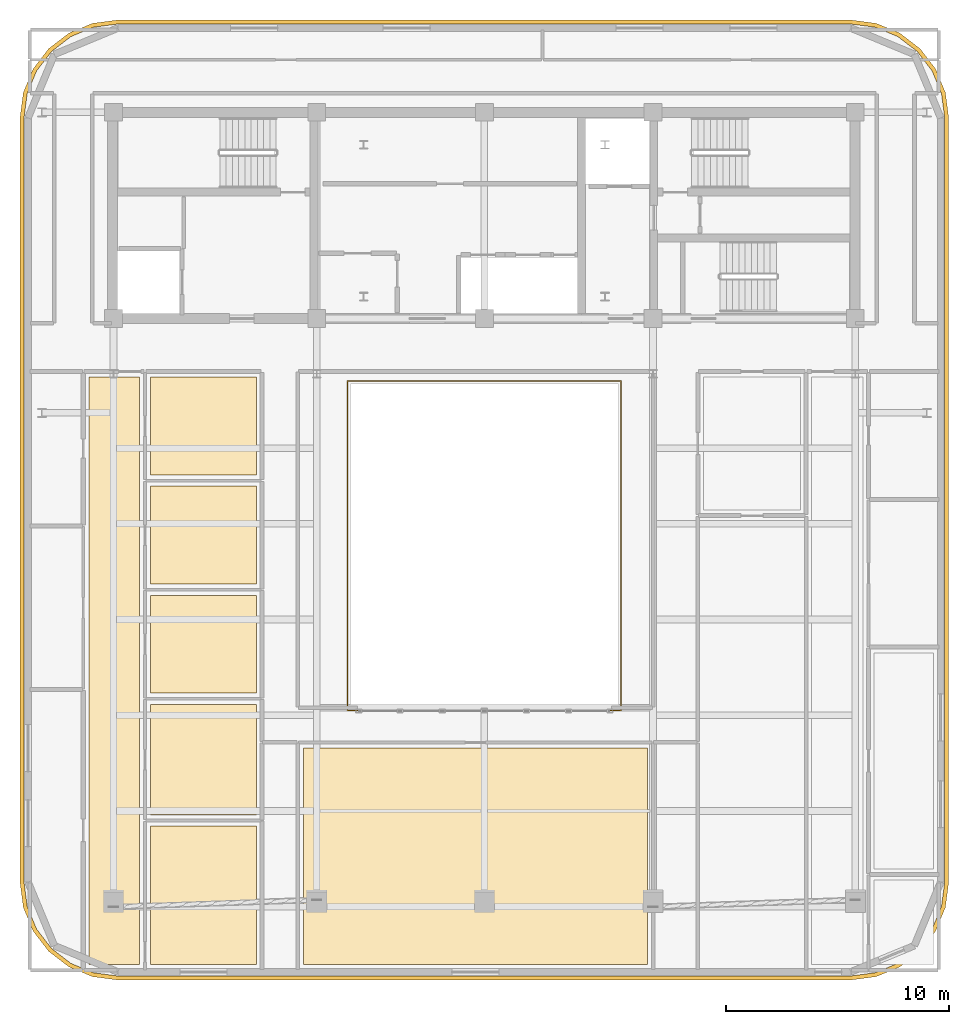
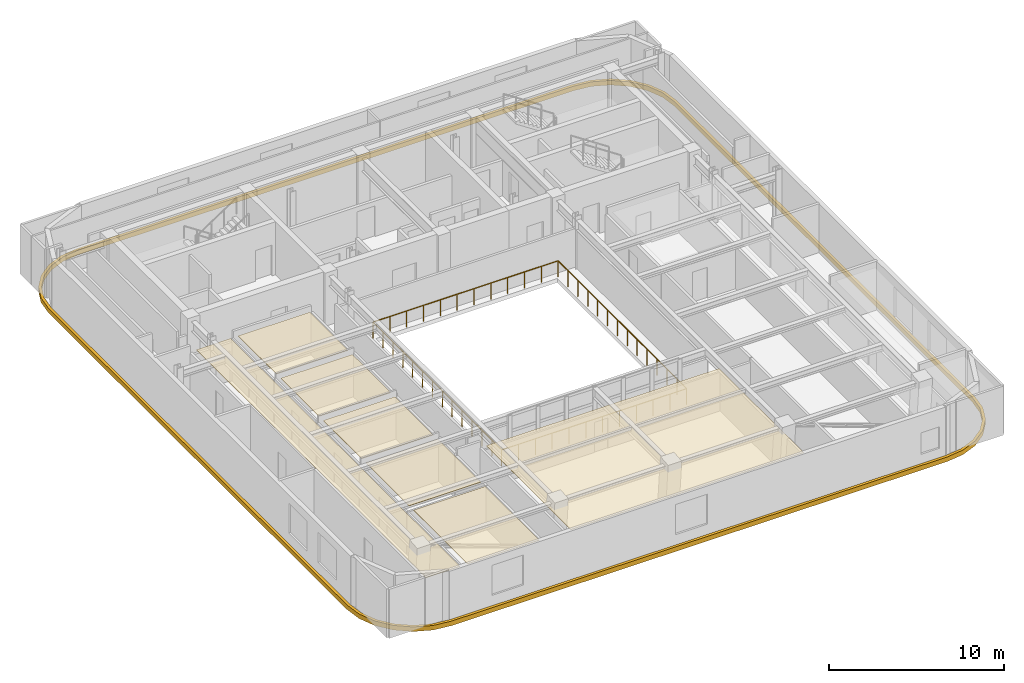
# One storey, part 10 of 12: 8 coverings, 1 railing.
"""IFC4 building model written with IfcOpenShell, lengths in metres."""

import ifcopenshell
import ifcopenshell.guid

model = None  # the IFC model being written
_history = None  # IfcOwnerHistory: only IFC2X3 demands one
_inside = {}  # id of a spatial element -> (the spatial element, [elements in it])
_under = {}  # id of a project, library or spatial element -> (it, [spatial elements below it])
_declared = {}  # id of a project -> (the project, [libraries it declares])
_typed = {}  # id of a type object -> (the type object, [elements of that type])
_made_of = {}  # id of a material, layer set ... -> (it, [elements and type objects made of it])


def new_model(schema):
    """Start an empty IFC model of exactly this schema.

    Asked for "IFC4X3", IfcOpenShell would pick the latest addendum, in which some entities
    have other attributes; the version numbers below select the first issue.
    IFC2X3 requires an IfcOwnerHistory on every rooted entity: one is made here for all.
    """
    global model, _history
    if schema == "IFC4X3":
        model = ifcopenshell.file(schema_version=(4, 3, 0, 0))
    else:
        model = ifcopenshell.file(schema=schema)
    _inside.clear()
    _under.clear()
    _declared.clear()
    _typed.clear()
    _made_of.clear()
    _history = None
    if model.schema == "IFC2X3":
        org = make("IfcOrganization", Name="unknown")
        user = make(
            "IfcPersonAndOrganization",
            ThePerson=make("IfcPerson", FamilyName="unknown"),
            TheOrganization=org,
        )
        app = make(
            "IfcApplication",
            ApplicationDeveloper=org,
            Version="unknown",
            ApplicationFullName="unknown",
            ApplicationIdentifier="unknown",
        )
        _history = make(
            "IfcOwnerHistory",
            OwningUser=user,
            OwningApplication=app,
            ChangeAction="ADDED",
            CreationDate=0,
        )
    return model


def make(cls, **values):
    """One entity of the class cls with the attributes given. An attribute that is None is left unset."""
    return model.create_entity(
        cls, **{name: value for name, value in values.items() if value is not None}
    )


def rooted(cls, **values):
    """An entity with a GlobalId (a new one), such as an element, a storey or a relation."""
    return make(cls, GlobalId=ifcopenshell.guid.new(), OwnerHistory=_history, **values)


def si_unit(unit_type, name, prefix=None):
    """IfcSIUnit, for example si_unit("LENGTHUNIT", "METRE", prefix="MILLI")."""
    return make("IfcSIUnit", UnitType=unit_type, Prefix=prefix, Name=name)


def assignment(units):
    """IfcUnitAssignment: the units of a project."""
    return None if units is None else make("IfcUnitAssignment", Units=units)


def point(xyz):
    """IfcCartesianPoint."""
    return None if xyz is None else make("IfcCartesianPoint", Coordinates=xyz)


def direction(xyz):
    """IfcDirection."""
    return None if xyz is None else make("IfcDirection", DirectionRatios=xyz)


def frame(location, z_axis=None, x_axis=None):
    """IfcAxis2Placement3D, a coordinate frame: its origin and axes. An axis left out is left unset."""
    return make(
        "IfcAxis2Placement3D",
        Location=point(location),
        Axis=direction(z_axis),
        RefDirection=direction(x_axis),
    )


def frame_2d(location, x_axis=None):
    """IfcAxis2Placement2D, a coordinate frame in the plane: its origin and x axis."""
    return make(
        "IfcAxis2Placement2D", Location=point(location), RefDirection=direction(x_axis)
    )


def origin():
    """The frame at (0, 0, 0) with its axes left unset."""
    return frame((0.0, 0.0, 0.0))


def origin_2d():
    """The frame at (0, 0) in the plane with its x axis left unset."""
    return frame_2d((0.0, 0.0))


def place(relative_to, where):
    """IfcLocalPlacement: puts the frame where relative to a parent placement (None: the world)."""
    return make(
        "IfcLocalPlacement", PlacementRelTo=relative_to, RelativePlacement=where
    )


def context(
    kind, dimensions, precision=None, world=None, true_north=None, identifier=None
):
    """IfcGeometricRepresentationContext, for example the 3D "Model" context."""
    return make(
        "IfcGeometricRepresentationContext",
        ContextIdentifier=identifier,
        ContextType=kind,
        CoordinateSpaceDimension=dimensions,
        Precision=precision,
        WorldCoordinateSystem=world,
        TrueNorth=true_north,
    )


def subcontext(parent, identifier, kind, view, scale=None):
    """IfcGeometricRepresentationSubContext, for example "Body" below "Model"."""
    return make(
        "IfcGeometricRepresentationSubContext",
        ContextIdentifier=identifier,
        ContextType=kind,
        ParentContext=parent,
        TargetScale=scale,
        TargetView=view,
    )


def project(units=None, contexts=None):
    """IfcProject with its units and contexts."""
    return rooted(
        "IfcProject",
        Name="project",
        RepresentationContexts=contexts,
        UnitsInContext=assignment(units),
    )


def spatial(cls, under=None, at=None, **own):
    """A site, building, storey or space (cls), placed at a placement, below another one or the project."""
    s = rooted(cls, ObjectPlacement=at, **own)
    if under is not None:
        _under.setdefault(under.id(), (under, []))[1].append(s)
    return s


def polyline(points):
    """IfcPolyline through the points."""
    return make("IfcPolyline", Points=[point(p) for p in points])


def profile(cls, at=None, kind="AREA", **sizes):
    """A parametric profile (cls). Its sizes go by their IFC names, for example OverallWidth=200.0."""
    return make(cls, ProfileType=kind, Position=at, **sizes)


def rectangle(**sizes):
    """IfcRectangleProfileDef."""
    return profile("IfcRectangleProfileDef", **sizes)


def outline(outer, holes=None, kind="AREA"):
    """IfcArbitraryClosedProfileDef: a profile drawn as a closed curve; with holes, ...WithVoids."""
    if holes is None:
        return make("IfcArbitraryClosedProfileDef", ProfileType=kind, OuterCurve=outer)
    return make(
        "IfcArbitraryProfileDefWithVoids",
        ProfileType=kind,
        OuterCurve=outer,
        InnerCurves=holes,
    )


def extrude(swept, where, along, depth):
    """IfcExtrudedAreaSolid: the profile swept, set in the frame where, extruded along a direction by depth."""
    return make(
        "IfcExtrudedAreaSolid",
        SweptArea=swept,
        Position=where,
        ExtrudedDirection=direction(along),
        Depth=depth,
    )


def shape(context_of_items, identifier, shape_type, items):
    """IfcShapeRepresentation: the items that make up one representation, for example the "Body"."""
    return make(
        "IfcShapeRepresentation",
        ContextOfItems=context_of_items,
        RepresentationIdentifier=identifier,
        RepresentationType=shape_type,
        Items=items,
    )


def material(Name=None, Category=None):
    """IfcMaterial."""
    return make("IfcMaterial", Name=Name, Category=Category)


def layer(
    of_material, thickness, ventilated=None, Name=None, Category=None, Priority=None
):
    """IfcMaterialLayer: one layer of a wall or slab, of a material (None: an air gap)."""
    return make(
        "IfcMaterialLayer",
        Material=of_material,
        LayerThickness=thickness,
        IsVentilated=ventilated,
        Name=Name,
        Category=Category,
        Priority=Priority,
    )


def layer_set(layers, Name=None):
    """IfcMaterialLayerSet."""
    return make("IfcMaterialLayerSet", MaterialLayers=layers, LayerSetName=Name)


def made_of(thing, what):
    """Note that an element or type object is made of a material, layer set ...; save() writes the relation."""
    if what is not None:
        _made_of.setdefault(what.id(), (what, []))[1].append(thing)
    return thing


def type_object(cls, material=None, **own):
    """A type object (cls), such as IfcWallType, which elements share."""
    return made_of(rooted(cls, **own), material)


def element(
    cls,
    number,
    at=None,
    inside=None,
    cuts=None,
    type_object=None,
    material=None,
    context=None,
    identifier="Body",
    shape_type=None,
    held_by="IfcProductDefinitionShape",
    body=None,
    shapes=None,
    **own,
):
    """One element of the class cls, such as IfcWall. Its Tag is "e" and its number.

    at: its placement. inside: the storey or other place that contains it. cuts: it is an
    opening in that element (IfcRelVoidsElement). A single representation is given by context,
    identifier, shape_type and body (its items); several are given by shapes. held_by: the class
    of the entity that holds the representations. save() writes the other relations.
    """
    e = rooted(cls, Tag="e%d" % number, ObjectPlacement=at, **own)
    if body is not None:
        shapes = [shape(context, identifier, shape_type, body)]
    if shapes is not None:
        e.Representation = make(held_by, Representations=shapes)
    if inside is not None:
        _inside.setdefault(inside.id(), (inside, []))[1].append(e)
    if cuts is not None:
        rooted(
            "IfcRelVoidsElement", RelatingBuildingElement=cuts, RelatedOpeningElement=e
        )
    if type_object is not None:
        _typed.setdefault(type_object.id(), (type_object, []))[1].append(e)
    return made_of(e, material)


def aggregate(whole, parts):
    """IfcRelAggregates: a whole, such as a stair, and the parts it consists of."""
    return rooted("IfcRelAggregates", RelatingObject=whole, RelatedObjects=parts)


def save(model, path):
    """Write the relations noted so far, then the file.

    IfcRelAggregates (storeys below a building ...), IfcRelContainedInSpatialStructure (elements
    in a storey), IfcRelDefinesByType, IfcRelAssociatesMaterial and IfcRelDeclares: one each for
    every whole, place, type object, material and project.
    """
    for whole, parts in _under.values():
        aggregate(whole, parts)
    for where, things in _inside.values():
        rooted(
            "IfcRelContainedInSpatialStructure",
            RelatedElements=things,
            RelatingStructure=where,
        )
    for kind, things in _typed.values():
        rooted("IfcRelDefinesByType", RelatedObjects=things, RelatingType=kind)
    for what, things in _made_of.values():
        rooted("IfcRelAssociatesMaterial", RelatedObjects=things, RelatingMaterial=what)
    for by, libraries in _declared.values():
        rooted("IfcRelDeclares", RelatingContext=by, RelatedDefinitions=libraries)
    model.write(path)


model = new_model("IFC4")

# Units and contexts
model_context = context("Model", 3, precision=1e-05, world=origin(), true_north=direction((0.0, 1.0)))
body_context = subcontext(model_context, "Body", "Model", "MODEL_VIEW")
ifc_project = project(units=[si_unit("LENGTHUNIT", "METRE"), si_unit("AREAUNIT", "SQUARE_METRE"), si_unit("VOLUMEUNIT", "CUBIC_METRE"), si_unit("PLANEANGLEUNIT", "RADIAN"), si_unit("MASSUNIT", "GRAM", prefix="KILO")], contexts=[model_context])

# Site, building, storey
site_placement = place(None, origin())
site = spatial("IfcSite", under=ifc_project, at=site_placement, CompositionType="ELEMENT")
building_placement = place(site_placement, origin())
building = spatial("IfcBuilding", under=site, at=building_placement, Name="Zarnavel Station Tower", CompositionType="ELEMENT")
storey_placement = place(building_placement, frame((0.0, 0.0, 269.5)))
storey = spatial("IfcBuildingStorey", under=building, at=storey_placement, Name="L73", CompositionType="ELEMENT", Elevation=269.5)

# Coverings
ifc_material_1 = material(Name="Perforated Gypsum and Mineral-Wool Acoustic Ceiling", Category="concrete")
ifc_layer = layer(ifc_material_1, 0.0400390625)
ifc_layer_set = layer_set([ifc_layer], Name="COV_CEIL_ACOUSTIC")
covering_type_1 = type_object("IfcCoveringType", Name="COV_CEIL_ACOUSTIC", PredefinedType="CEILING", material=ifc_layer_set)
covering_1_placement = place(storey_placement, frame((0.0, 0.0, 3.10009765625)))
element("IfcCovering", 1, at=covering_1_placement, inside=storey, type_object=covering_type_1, Name="L73 UW1LV Acoustic Ceiling", PredefinedType="CEILING", context=body_context, shape_type="SweptSolid", body=[
    extrude(outline(polyline([(11.10009765625, -1.090087890625), (13.362060546875, -1.090087890625), (13.362060546875, 25.199951171875), (11.10009765625, 25.199951171875), (11.10009765625, -1.090087890625)])), origin(), (0.0, 0.0, 1.0), 0.039794921875),
])
covering_2_placement = place(storey_placement, frame((0.0, 0.0, 3.10009765625)))
element("IfcCovering", 2, at=covering_2_placement, inside=storey, type_object=covering_type_1, Name="L73 UW1B1 Acoustic Ceiling", PredefinedType="CEILING", context=body_context, shape_type="SweptSolid", body=[
    extrude(outline(polyline([(13.862060546875, -1.090087890625), (18.60009765625, -1.090087890625), (18.60009765625, 5.10693359375), (13.862060546875, 5.10693359375), (13.862060546875, -1.090087890625)])), origin(), (0.0, 0.0, 1.0), 0.039794921875),
])
covering_3_placement = place(storey_placement, frame((0.0, 0.0, 3.10009765625)))
element("IfcCovering", 3, at=covering_3_placement, inside=storey, type_object=covering_type_1, Name="L73 UW1B2 Acoustic Ceiling", PredefinedType="CEILING", context=body_context, shape_type="SweptSolid", body=[
    extrude(outline(polyline([(13.862060546875, 5.60693359375), (18.60009765625, 5.60693359375), (18.60009765625, 10.555908203125), (13.862060546875, 10.555908203125), (13.862060546875, 5.60693359375)])), origin(), (0.0, 0.0, 1.0), 0.039794921875),
])
covering_4_placement = place(storey_placement, frame((0.0, 0.0, 3.10009765625)))
element("IfcCovering", 4, at=covering_4_placement, inside=storey, type_object=covering_type_1, Name="L73 UW1B3 Acoustic Ceiling", PredefinedType="CEILING", context=body_context, shape_type="SweptSolid", body=[
    extrude(outline(polyline([(13.862060546875, 11.055908203125), (18.60009765625, 11.055908203125), (18.60009765625, 15.43701171875), (13.862060546875, 15.43701171875), (13.862060546875, 11.055908203125)])), origin(), (0.0, 0.0, 1.0), 0.039794921875),
])
covering_5_placement = place(storey_placement, frame((0.0, 0.0, 3.10009765625)))
element("IfcCovering", 5, at=covering_5_placement, inside=storey, type_object=covering_type_1, Name="L73 UW1B4 Acoustic Ceiling", PredefinedType="CEILING", context=body_context, shape_type="SweptSolid", body=[
    extrude(outline(polyline([(13.862060546875, 15.93701171875), (18.60009765625, 15.93701171875), (18.60009765625, 20.318115234375), (13.862060546875, 20.318115234375), (13.862060546875, 15.93701171875)])), origin(), (0.0, 0.0, 1.0), 0.039794921875),
])
covering_6_placement = place(storey_placement, frame((0.0, 0.0, 3.10009765625)))
element("IfcCovering", 6, at=covering_6_placement, inside=storey, type_object=covering_type_1, Name="L73 UW1B5 Acoustic Ceiling", PredefinedType="CEILING", context=body_context, shape_type="SweptSolid", body=[
    extrude(outline(polyline([(13.862060546875, 20.818115234375), (18.60009765625, 20.818115234375), (18.60009765625, 25.199951171875), (13.862060546875, 25.199951171875), (13.862060546875, 20.818115234375)])), origin(), (0.0, 0.0, 1.0), 0.039794921875),
])
covering_7_placement = place(storey_placement, frame((0.0, 0.0, 3.10009765625)))
element("IfcCovering", 7, at=covering_7_placement, inside=storey, type_object=covering_type_1, Name="L73 L73REC Acoustic Ceiling", PredefinedType="CEILING", context=body_context, shape_type="SweptSolid", body=[
    extrude(outline(polyline([(20.699951171875, -1.090087890625), (36.10009765625, -1.090087890625), (36.10009765625, 8.60009765625), (20.699951171875, 8.60009765625), (20.699951171875, -1.090087890625)])), origin(), (0.0, 0.0, 1.0), 0.039794921875),
])
ifc_material_2 = material(Name="Precast concrete C45/55 (Pale Travertine Slab Band)", Category="masonry")
covering_type_2 = type_object("IfcCoveringType", Name="COV_TRAVERTINE_BAND", PredefinedType="CLADDING", material=ifc_material_2)
covering_8_placement = place(storey_placement, frame((0.0, 0.0, -0.260009765625)))
element("IfcCovering", 8, at=covering_8_placement, inside=storey, type_object=covering_type_2, Name="L73 Pale Travertine Slab-Edge Band", PredefinedType="CLADDING", context=body_context, shape_type="SweptSolid", body=[
    extrude(outline(polyline([(45.199951171875, -1.780029296875), (46.33349609375, -1.630859375), (47.389892578125, -1.193115234375), (48.297119140625, -0.4970703125), (48.9931640625, 0.409912109375), (49.430908203125, 1.46630859375), (49.580078125, 2.60009765625), (49.580078125, 36.800048828125), (49.430908203125, 37.93359375), (48.9931640625, 38.989990234375), (48.297119140625, 39.897216796875), (47.389892578125, 40.59326171875), (46.33349609375, 41.03076171875), (45.199951171875, 41.179931640625), (12.39990234375, 41.179931640625), (11.266357421875, 41.03076171875), (10.2099609375, 40.59326171875), (9.302978515625, 39.897216796875), (8.606689453125, 38.989990234375), (8.169189453125, 37.93359375), (8.02001953125, 36.800048828125), (8.02001953125, 2.60009765625), (8.169189453125, 1.46630859375), (8.606689453125, 0.409912109375), (9.302978515625, -0.4970703125), (10.2099609375, -1.193115234375), (11.266357421875, -1.630859375), (12.39990234375, -1.780029296875), (45.199951171875, -1.780029296875)]), holes=[polyline([(45.199951171875, -1.60009765625), (46.287109375, -1.456787109375), (47.300048828125, -1.037353515625), (48.169921875, -0.369873046875), (48.83740234375, 0.5), (49.2568359375, 1.512939453125), (49.39990234375, 2.60009765625), (49.39990234375, 36.800048828125), (49.2568359375, 37.886962890625), (48.83740234375, 38.89990234375), (48.169921875, 39.769775390625), (47.300048828125, 40.437255859375), (46.287109375, 40.85693359375), (45.199951171875, 41.0), (12.39990234375, 41.0), (11.31298828125, 40.85693359375), (10.300048828125, 40.437255859375), (9.43017578125, 39.769775390625), (8.7626953125, 38.89990234375), (8.343017578125, 37.886962890625), (8.199951171875, 36.800048828125), (8.199951171875, 2.60009765625), (8.343017578125, 1.512939453125), (8.7626953125, 0.5), (9.43017578125, -0.369873046875), (10.300048828125, -1.037353515625), (11.31298828125, -1.456787109375), (12.39990234375, -1.60009765625), (45.199951171875, -1.60009765625)])]), origin(), (0.0, 0.0, 1.0), 0.320068359375),
])

# Railing
ifc_material_3 = material(Name="Painted Steel S355J2 Balustrade", Category="steel")
railing_type = type_object("IfcRailingType", Name="GR_INT_1150", PredefinedType="GUARDRAIL", material=ifc_material_3)
railing_placement = place(storey_placement, frame((22.679931640625, 10.280029296875, 0.0)))
element("IfcRailing", 9, at=railing_placement, inside=storey, type_object=railing_type, Name="L73 Atrium Void Guardrail", PredefinedType="GUARDRAIL", context=body_context, shape_type="SweptSolid", body=[
    extrude(rectangle(XDim=0.048095703125, YDim=0.048095703125, at=origin_2d()), frame((0.001953125, 0.0, 1.1259765625), z_axis=(1.0, 0.0, 0.0), x_axis=(0.0, 1.0, 0.0)), (0.0, 0.0, 1.0), 12.236083984375),
    extrude(rectangle(XDim=0.048095703125, YDim=0.048095703125, at=origin_2d()), frame((12.239990234375, 0.001953125, 1.1259765625), z_axis=(0.0, 1.0, 0.0), x_axis=(-1.0, 0.0, 0.0)), (0.0, 0.0, 1.0), 14.736083984375),
    extrude(rectangle(XDim=0.048095703125, YDim=0.048095703125, at=origin_2d()), frame((12.238037109375, 14.739990234375, 1.1259765625), z_axis=(-1.0, 0.0, 0.0), x_axis=(0.0, -1.0, 0.0)), (0.0, 0.0, 1.0), 12.236083984375),
    extrude(rectangle(XDim=0.048095703125, YDim=0.048095703125, at=origin_2d()), frame((0.0, 14.738037109375, 1.1259765625), z_axis=(0.0, -1.0, 0.0), x_axis=(1.0, 0.0, 0.0)), (0.0, 0.0, 1.0), 14.736083984375),
    extrude(rectangle(XDim=0.0419921875, YDim=0.0419921875, at=origin_2d()), origin(), (0.0, 0.0, 1.0), 1.101806640625),
    extrude(rectangle(XDim=0.0419921875, YDim=0.0419921875, at=origin_2d()), frame((1.11279296875, 0.0, 0.0)), (0.0, 0.0, 1.0), 1.101806640625),
    extrude(rectangle(XDim=0.0419921875, YDim=0.0419921875, at=origin_2d()), frame((2.225341796875, 0.0, 0.0)), (0.0, 0.0, 1.0), 1.101806640625),
    extrude(rectangle(XDim=0.0419921875, YDim=0.0419921875, at=origin_2d()), frame((3.338134765625, 0.0, 0.0)), (0.0, 0.0, 1.0), 1.101806640625),
    extrude(rectangle(XDim=0.0419921875, YDim=0.0419921875, at=origin_2d()), frame((4.450927734375, 0.0, 0.0)), (0.0, 0.0, 1.0), 1.101806640625),
    extrude(rectangle(XDim=0.0419921875, YDim=0.0419921875, at=origin_2d()), frame((5.563720703125, 0.0, 0.0)), (0.0, 0.0, 1.0), 1.101806640625),
    extrude(rectangle(XDim=0.0419921875, YDim=0.0419921875, at=origin_2d()), frame((6.67626953125, 0.0, 0.0)), (0.0, 0.0, 1.0), 1.101806640625),
    extrude(rectangle(XDim=0.0419921875, YDim=0.0419921875, at=origin_2d()), frame((7.7890625, 0.0, 0.0)), (0.0, 0.0, 1.0), 1.101806640625),
    extrude(rectangle(XDim=0.0419921875, YDim=0.0419921875, at=origin_2d()), frame((8.90185546875, 0.0, 0.0)), (0.0, 0.0, 1.0), 1.101806640625),
    extrude(rectangle(XDim=0.0419921875, YDim=0.0419921875, at=origin_2d()), frame((10.0146484375, 0.0, 0.0)), (0.0, 0.0, 1.0), 1.101806640625),
    extrude(rectangle(XDim=0.0419921875, YDim=0.0419921875, at=origin_2d()), frame((11.127197265625, 0.0, 0.0)), (0.0, 0.0, 1.0), 1.101806640625),
    extrude(rectangle(XDim=0.0419921875, YDim=0.0419921875, at=origin_2d()), frame((12.239990234375, 0.0, 0.0)), (0.0, 0.0, 1.0), 1.101806640625),
    extrude(rectangle(XDim=0.0419921875, YDim=0.0419921875, at=origin_2d()), frame((12.239990234375, 1.1337890625, 0.0)), (0.0, 0.0, 1.0), 1.101806640625),
    extrude(rectangle(XDim=0.0419921875, YDim=0.0419921875, at=origin_2d()), frame((12.239990234375, 2.267578125, 0.0)), (0.0, 0.0, 1.0), 1.101806640625),
    extrude(rectangle(XDim=0.0419921875, YDim=0.0419921875, at=origin_2d()), frame((12.239990234375, 3.401611328125, 0.0)), (0.0, 0.0, 1.0), 1.101806640625),
    extrude(rectangle(XDim=0.0419921875, YDim=0.0419921875, at=origin_2d()), frame((12.239990234375, 4.535400390625, 0.0)), (0.0, 0.0, 1.0), 1.101806640625),
    extrude(rectangle(XDim=0.0419921875, YDim=0.0419921875, at=origin_2d()), frame((12.239990234375, 5.669189453125, 0.0)), (0.0, 0.0, 1.0), 1.101806640625),
    extrude(rectangle(XDim=0.0419921875, YDim=0.0419921875, at=origin_2d()), frame((12.239990234375, 6.802978515625, 0.0)), (0.0, 0.0, 1.0), 1.101806640625),
    extrude(rectangle(XDim=0.0419921875, YDim=0.0419921875, at=origin_2d()), frame((12.239990234375, 7.93701171875, 0.0)), (0.0, 0.0, 1.0), 1.101806640625),
    extrude(rectangle(XDim=0.0419921875, YDim=0.0419921875, at=origin_2d()), frame((12.239990234375, 9.07080078125, 0.0)), (0.0, 0.0, 1.0), 1.101806640625),
    extrude(rectangle(XDim=0.0419921875, YDim=0.0419921875, at=origin_2d()), frame((12.239990234375, 10.20458984375, 0.0)), (0.0, 0.0, 1.0), 1.101806640625),
    extrude(rectangle(XDim=0.0419921875, YDim=0.0419921875, at=origin_2d()), frame((12.239990234375, 11.33837890625, 0.0)), (0.0, 0.0, 1.0), 1.101806640625),
    extrude(rectangle(XDim=0.0419921875, YDim=0.0419921875, at=origin_2d()), frame((12.239990234375, 12.472412109375, 0.0)), (0.0, 0.0, 1.0), 1.101806640625),
    extrude(rectangle(XDim=0.0419921875, YDim=0.0419921875, at=origin_2d()), frame((12.239990234375, 13.606201171875, 0.0)), (0.0, 0.0, 1.0), 1.101806640625),
    extrude(rectangle(XDim=0.0419921875, YDim=0.0419921875, at=origin_2d()), frame((12.239990234375, 14.739990234375, 0.0)), (0.0, 0.0, 1.0), 1.101806640625),
    extrude(rectangle(XDim=0.0419921875, YDim=0.0419921875, at=origin_2d()), frame((11.127197265625, 14.739990234375, 0.0)), (0.0, 0.0, 1.0), 1.101806640625),
    extrude(rectangle(XDim=0.0419921875, YDim=0.0419921875, at=origin_2d()), frame((10.0146484375, 14.739990234375, 0.0)), (0.0, 0.0, 1.0), 1.101806640625),
    extrude(rectangle(XDim=0.0419921875, YDim=0.0419921875, at=origin_2d()), frame((8.90185546875, 14.739990234375, 0.0)), (0.0, 0.0, 1.0), 1.101806640625),
    extrude(rectangle(XDim=0.0419921875, YDim=0.0419921875, at=origin_2d()), frame((7.7890625, 14.739990234375, 0.0)), (0.0, 0.0, 1.0), 1.101806640625),
    extrude(rectangle(XDim=0.0419921875, YDim=0.0419921875, at=origin_2d()), frame((6.67626953125, 14.739990234375, 0.0)), (0.0, 0.0, 1.0), 1.101806640625),
    extrude(rectangle(XDim=0.0419921875, YDim=0.0419921875, at=origin_2d()), frame((5.563720703125, 14.739990234375, 0.0)), (0.0, 0.0, 1.0), 1.101806640625),
    extrude(rectangle(XDim=0.0419921875, YDim=0.0419921875, at=origin_2d()), frame((4.450927734375, 14.739990234375, 0.0)), (0.0, 0.0, 1.0), 1.101806640625),
    extrude(rectangle(XDim=0.0419921875, YDim=0.0419921875, at=origin_2d()), frame((3.338134765625, 14.739990234375, 0.0)), (0.0, 0.0, 1.0), 1.101806640625),
    extrude(rectangle(XDim=0.0419921875, YDim=0.0419921875, at=origin_2d()), frame((2.225341796875, 14.739990234375, 0.0)), (0.0, 0.0, 1.0), 1.101806640625),
    extrude(rectangle(XDim=0.0419921875, YDim=0.0419921875, at=origin_2d()), frame((1.11279296875, 14.739990234375, 0.0)), (0.0, 0.0, 1.0), 1.101806640625),
    extrude(rectangle(XDim=0.0419921875, YDim=0.0419921875, at=origin_2d()), frame((0.0, 14.739990234375, 0.0)), (0.0, 0.0, 1.0), 1.101806640625),
    extrude(rectangle(XDim=0.0419921875, YDim=0.0419921875, at=origin_2d()), frame((0.0, 13.606201171875, 0.0)), (0.0, 0.0, 1.0), 1.101806640625),
    extrude(rectangle(XDim=0.0419921875, YDim=0.0419921875, at=origin_2d()), frame((0.0, 12.472412109375, 0.0)), (0.0, 0.0, 1.0), 1.101806640625),
    extrude(rectangle(XDim=0.0419921875, YDim=0.0419921875, at=origin_2d()), frame((0.0, 11.33837890625, 0.0)), (0.0, 0.0, 1.0), 1.101806640625),
    extrude(rectangle(XDim=0.0419921875, YDim=0.0419921875, at=origin_2d()), frame((0.0, 10.20458984375, 0.0)), (0.0, 0.0, 1.0), 1.101806640625),
    extrude(rectangle(XDim=0.0419921875, YDim=0.0419921875, at=origin_2d()), frame((0.0, 9.07080078125, 0.0)), (0.0, 0.0, 1.0), 1.101806640625),
    extrude(rectangle(XDim=0.0419921875, YDim=0.0419921875, at=origin_2d()), frame((0.0, 7.93701171875, 0.0)), (0.0, 0.0, 1.0), 1.101806640625),
    extrude(rectangle(XDim=0.0419921875, YDim=0.0419921875, at=origin_2d()), frame((0.0, 6.802978515625, 0.0)), (0.0, 0.0, 1.0), 1.101806640625),
    extrude(rectangle(XDim=0.0419921875, YDim=0.0419921875, at=origin_2d()), frame((0.0, 5.669189453125, 0.0)), (0.0, 0.0, 1.0), 1.101806640625),
    extrude(rectangle(XDim=0.0419921875, YDim=0.0419921875, at=origin_2d()), frame((0.0, 4.535400390625, 0.0)), (0.0, 0.0, 1.0), 1.101806640625),
    extrude(rectangle(XDim=0.0419921875, YDim=0.0419921875, at=origin_2d()), frame((0.0, 3.401611328125, 0.0)), (0.0, 0.0, 1.0), 1.101806640625),
    extrude(rectangle(XDim=0.0419921875, YDim=0.0419921875, at=origin_2d()), frame((0.0, 2.267578125, 0.0)), (0.0, 0.0, 1.0), 1.101806640625),
    extrude(rectangle(XDim=0.0419921875, YDim=0.0419921875, at=origin_2d()), frame((0.0, 1.1337890625, 0.0)), (0.0, 0.0, 1.0), 1.101806640625),
])

save(model, "model.ifc")
